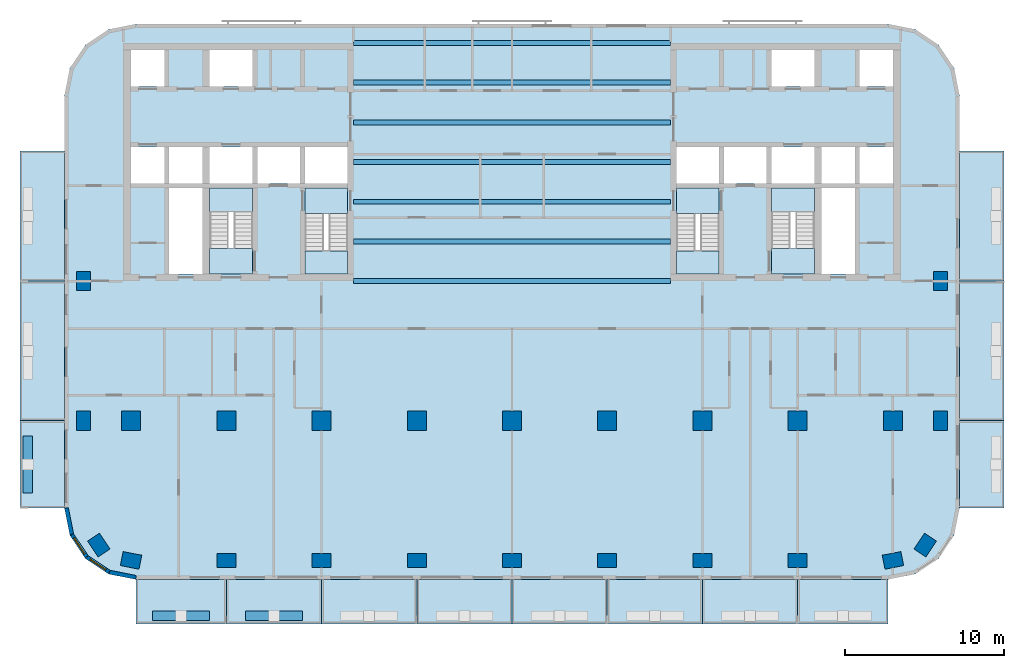
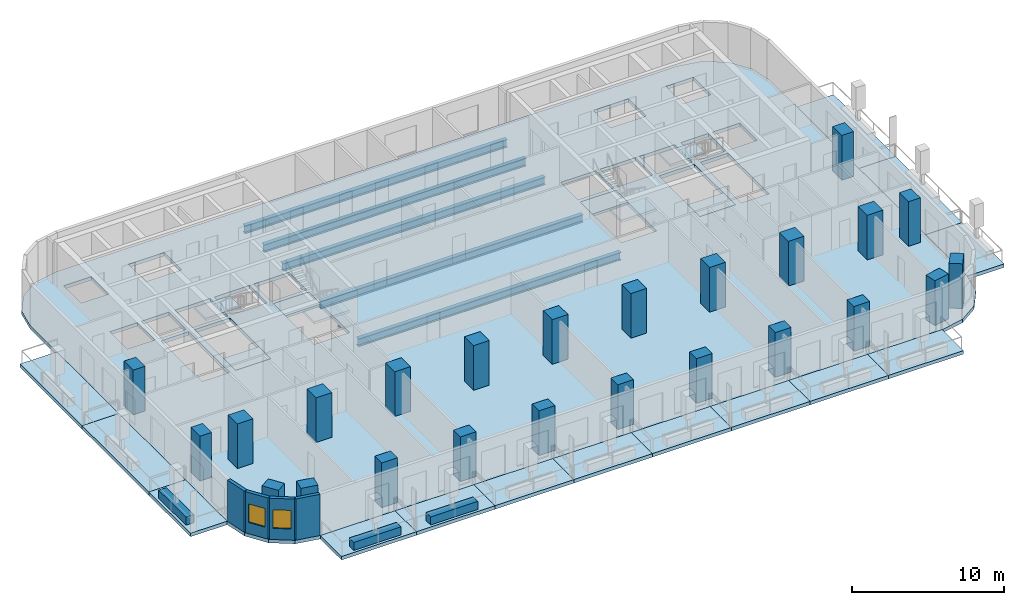
# One storey, part 1 of 11: 24 columns, 23 slabs, 7 beams, 7 walls, 2 windows, 2 openings, 4 elements without a shape of their own.
"""IFC4 building model written with IfcOpenShell, lengths in metres."""

from ifc_helpers import new_model, si_unit, direction, frame, frame_2d, origin, origin_2d, place, context, subcontext, project, spatial, polyline, rectangle, i_section, outline, extrude, material, layer, layer_set, material_profile, profile_set, type_object, element, fill, aggregate, save


model = new_model("IFC4")

# Units and contexts
model_context = context("Model", 3, precision=1e-05, world=origin(), true_north=direction((0.0, 1.0)))
body_context = subcontext(model_context, "Body", "Model", "MODEL_VIEW")
ifc_project = project(units=[si_unit("LENGTHUNIT", "METRE"), si_unit("AREAUNIT", "SQUARE_METRE"), si_unit("VOLUMEUNIT", "CUBIC_METRE"), si_unit("PLANEANGLEUNIT", "RADIAN"), si_unit("MASSUNIT", "GRAM", prefix="KILO")], contexts=[model_context])

# Site, building, storey
site_placement = place(None, origin())
site = spatial("IfcSite", under=ifc_project, at=site_placement, CompositionType="ELEMENT")
building_placement = place(site_placement, origin())
building = spatial("IfcBuilding", under=site, at=building_placement, Name="Torana Hotel and Residences", CompositionType="ELEMENT")
storey_placement = place(building_placement, frame((0.0, 0.0, 130.800048828125)))
storey = spatial("IfcBuildingStorey", under=building, at=storey_placement, Name="L33", CompositionType="ELEMENT", Elevation=130.800048828125)

# Columns
ifc_material_1 = material(Name="Concrete C70/85", Category="concrete")
ifc_material_profile_1 = material_profile(ifc_material_1, rectangle(XDim=1.199951171875, YDim=1.199951171875, at=origin_2d()), Name="RC 1200x1200")
ifc_profile_set_1 = profile_set([ifc_material_profile_1], Name="Concrete C70/85")
column_type_1 = type_object("IfcColumnType", Name="COLUMN RC 1200x1200 C70/85", PredefinedType="COLUMN", material=ifc_profile_set_1)
for number, where, z_axis, x_axis, name in (
    (1, (-24.0, -23.800048828125, 0.0), (0.0, 0.0, 1.0), (1.0, 0.0, 0.0), "Column L33"),
    (2, (-18.0, -23.800048828125, 0.0), (0.0, 0.0, 1.0), (1.0, 0.0, 0.0), "Column L33"),
    (3, (-12.0, -23.800048828125, 0.0), (0.0, 0.0, 1.0), (1.0, 0.0, 0.0), "Column L33"),
    (4, (-6.0, -23.800048828125, 0.0), (0.0, 0.0, 1.0), (1.0, 0.0, 0.0), "Column L33"),
    (5, (0.0, -23.800048828125, 0.0), (0.0, 0.0, 1.0), (1.0, 0.0, 0.0), "Column L33"),
    (6, (6.0, -23.800048828125, 0.0), (0.0, 0.0, 1.0), (1.0, 0.0, 0.0), "Column L33"),
    (7, (12.0, -23.800048828125, 0.0), (0.0, 0.0, 1.0), (1.0, 0.0, 0.0), "Column L33"),
    (8, (18.0, -23.800048828125, 0.0), (0.0, 0.0, 1.0), (1.0, 0.0, 0.0), "Column L33"),
    (9, (24.0, -23.800048828125, 0.0), (0.0, 0.0, 1.0), (1.0, 0.0, 0.0), "Column L33"),
):
    element("IfcColumn", number, at=place(storey_placement, frame(where, z_axis=z_axis, x_axis=x_axis)), inside=storey, type_object=column_type_1, Name=name, PredefinedType="COLUMN", context=body_context, shape_type="SweptSolid", body=[
        extrude(rectangle(XDim=1.199951171875, YDim=1.199951171875, at=origin_2d()), origin(), (0.0, 0.0, 1.0), 3.599853515625),
    ])
ifc_material_2 = material(Name="Concrete C70/85", Category="concrete")
ifc_material_profile_2 = material_profile(ifc_material_2, rectangle(XDim=1.199951171875, YDim=0.89990234375, at=origin_2d()), Name="RC 1200x900")
ifc_profile_set_2 = profile_set([ifc_material_profile_2], Name="Concrete C70/85")
column_type_2 = type_object("IfcColumnType", Name="COLUMN RC 1200x900 C70/85", PredefinedType="COLUMN", material=ifc_profile_set_2)
for number, where, z_axis, x_axis, name in (
    (10, (-27.0, -23.800048828125, 0.0), (0.0, 0.0, 1.0), (0.0, 1.0, 0.0), "Column L33"),
    (11, (-27.0, -15.0, 0.0), (0.0, 0.0, 1.0), (0.0, 1.0, 0.0), "Column L33"),
    (12, (-26.032958984375, -31.633056640625, 0.0), (0.0, 0.0, 1.0), (-0.555584744817, 0.831459915646, 0.0), "Column L33"),
    (13, (-24.0, -32.60009765625, 0.0), (0.0, 0.0, 1.0), (-0.980792089743, 0.195056086032, 0.0), "Column L33"),
    (14, (-18.0, -32.60009765625, 0.0), (0.0, 0.0, 1.0), (1.0, 0.0, 0.0), "Column L33"),
    (15, (-12.0, -32.60009765625, 0.0), (0.0, 0.0, 1.0), (1.0, 0.0, 0.0), "Column L33"),
    (16, (-6.0, -32.60009765625, 0.0), (0.0, 0.0, 1.0), (1.0, 0.0, 0.0), "Column L33"),
    (17, (0.0, -32.60009765625, 0.0), (0.0, 0.0, 1.0), (1.0, 0.0, 0.0), "Column L33"),
    (18, (6.0, -32.60009765625, 0.0), (0.0, 0.0, 1.0), (1.0, 0.0, 0.0), "Column L33"),
    (19, (12.0, -32.60009765625, 0.0), (0.0, 0.0, 1.0), (1.0, 0.0, 0.0), "Column L33"),
    (20, (18.0, -32.60009765625, 0.0), (0.0, 0.0, 1.0), (1.0, 0.0, 0.0), "Column L33"),
    (21, (24.0, -32.60009765625, 0.0), (0.0, 0.0, 1.0), (0.980792089743, 0.195056086032, 0.0), "Column L33"),
    (22, (26.032958984375, -31.633056640625, 0.0), (0.0, 0.0, 1.0), (0.555584744817, 0.831459915646, 0.0), "Column L33"),
    (23, (27.0, -23.800048828125, 0.0), (0.0, 0.0, 1.0), (0.0, 1.0, 0.0), "Column L33"),
    (24, (27.0, -15.0, 0.0), (0.0, 0.0, 1.0), (0.0, 1.0, 0.0), "Column L33"),
):
    element("IfcColumn", number, at=place(storey_placement, frame(where, z_axis=z_axis, x_axis=x_axis)), inside=storey, type_object=column_type_2, Name=name, PredefinedType="COLUMN", context=body_context, shape_type="SweptSolid", body=[
        extrude(rectangle(XDim=1.199951171875, YDim=0.89990234375, at=origin_2d()), origin(), (0.0, 0.0, 1.0), 3.599853515625),
    ])

# Beams
ifc_material_3 = material(Name="Steel S355", Category="steel")
ifc_material_profile_3 = material_profile(ifc_material_3, i_section(OverallWidth=0.311279296875, OverallDepth=0.6357421875, WebThickness=0.018310546875, FlangeThickness=0.031494140625, FilletRadius=0.0166015625, at=origin_2d()), Name="610x305x238 UB")
ifc_profile_set_3 = profile_set([ifc_material_profile_3], Name="Steel S355")
beam_type = type_object("IfcBeamType", Name="STEEL GIRDER 610x305x238 UB", PredefinedType="BEAM", material=ifc_profile_set_3)
for number, where, z_axis, x_axis, name in (
    (25, (-10.0, -15.0, -0.597900390625), (1.0, 0.0, 0.0), (0.0, 1.0, 0.0), "Floor girder"),
    (26, (-10.0, -12.5, -0.597900390625), (1.0, 0.0, 0.0), (0.0, 1.0, 0.0), "Floor girder"),
    (27, (-10.0, -10.0, -0.597900390625), (1.0, 0.0, 0.0), (0.0, 1.0, 0.0), "Floor girder"),
    (28, (-10.0, -7.5, -0.597900390625), (1.0, 0.0, 0.0), (0.0, 1.0, 0.0), "Floor girder"),
    (29, (-10.0, -5.0, -0.597900390625), (1.0, 0.0, 0.0), (0.0, 1.0, 0.0), "Floor girder"),
    (30, (-10.0, -2.5, -0.597900390625), (1.0, 0.0, 0.0), (0.0, 1.0, 0.0), "Floor girder"),
    (31, (-10.0, 0.0, -0.597900390625), (1.0, 0.0, 0.0), (0.0, 1.0, 0.0), "Floor girder"),
):
    element("IfcBeam", number, at=place(storey_placement, frame(where, z_axis=z_axis, x_axis=x_axis)), inside=storey, type_object=beam_type, Name=name, PredefinedType="BEAM", context=body_context, shape_type="SweptSolid", body=[
        extrude(i_section(OverallWidth=0.311279296875, OverallDepth=0.6357421875, WebThickness=0.018310546875, FlangeThickness=0.031494140625, FilletRadius=0.0166015625, at=origin_2d()), origin(), (0.0, 0.0, 1.0), 20.0),
    ])

# Slabs
ifc_material_4 = material(Name="Concrete C40/50", Category="concrete")
ifc_layer_1 = layer(ifc_material_4, 0.280029296875)
ifc_layer_set_1 = layer_set([ifc_layer_1], Name="BAL1 BALCONY SLAB 280")
slab_type_1 = type_object("IfcSlabType", Name="BAL1 BALCONY SLAB 280", PredefinedType="USERDEFINED", material=ifc_layer_set_1)
slab_1_placement = place(storey_placement, frame((0.0, 0.0, -0.280029296875)))
element("IfcSlab", 32, at=slab_1_placement, inside=storey, type_object=slab_type_1, Name="Balcony 01", ObjectType="BALCONY", PredefinedType="USERDEFINED", context=body_context, shape_type="SweptSolid", body=[
    extrude(outline(polyline([(-23.699951171875, -36.60009765625), (-18.0, -36.60009765625), (-18.0, -33.800048828125), (-23.699951171875, -33.800048828125), (-23.699951171875, -36.60009765625)])), origin(), (0.0, 0.0, 1.0), 0.280029296875),
])
slab_2_placement = place(storey_placement, frame((0.0, 0.0, -0.280029296875)))
element("IfcSlab", 33, at=slab_2_placement, inside=storey, type_object=slab_type_1, Name="Balcony 02", ObjectType="BALCONY", PredefinedType="USERDEFINED", context=body_context, shape_type="SweptSolid", body=[
    extrude(outline(polyline([(-18.0, -36.60009765625), (-12.0, -36.60009765625), (-12.0, -33.800048828125), (-18.0, -33.800048828125), (-18.0, -36.60009765625)])), origin(), (0.0, 0.0, 1.0), 0.280029296875),
])
slab_3_placement = place(storey_placement, frame((0.0, 0.0, -0.280029296875)))
element("IfcSlab", 34, at=slab_3_placement, inside=storey, type_object=slab_type_1, Name="Balcony 03", ObjectType="BALCONY", PredefinedType="USERDEFINED", context=body_context, shape_type="SweptSolid", body=[
    extrude(outline(polyline([(-12.0, -36.60009765625), (-6.0, -36.60009765625), (-6.0, -33.800048828125), (-12.0, -33.800048828125), (-12.0, -36.60009765625)])), origin(), (0.0, 0.0, 1.0), 0.280029296875),
])
slab_4_placement = place(storey_placement, frame((0.0, 0.0, -0.280029296875)))
element("IfcSlab", 35, at=slab_4_placement, inside=storey, type_object=slab_type_1, Name="Balcony 04", ObjectType="BALCONY", PredefinedType="USERDEFINED", context=body_context, shape_type="SweptSolid", body=[
    extrude(outline(polyline([(-6.0, -36.60009765625), (0.0, -36.60009765625), (0.0, -33.800048828125), (-6.0, -33.800048828125), (-6.0, -36.60009765625)])), origin(), (0.0, 0.0, 1.0), 0.280029296875),
])
slab_5_placement = place(storey_placement, frame((0.0, 0.0, -0.280029296875)))
element("IfcSlab", 36, at=slab_5_placement, inside=storey, type_object=slab_type_1, Name="Balcony 05", ObjectType="BALCONY", PredefinedType="USERDEFINED", context=body_context, shape_type="SweptSolid", body=[
    extrude(outline(polyline([(0.0, -36.60009765625), (6.0, -36.60009765625), (6.0, -33.800048828125), (0.0, -33.800048828125), (0.0, -36.60009765625)])), origin(), (0.0, 0.0, 1.0), 0.280029296875),
])
slab_6_placement = place(storey_placement, frame((0.0, 0.0, -0.280029296875)))
element("IfcSlab", 37, at=slab_6_placement, inside=storey, type_object=slab_type_1, Name="Balcony 06", ObjectType="BALCONY", PredefinedType="USERDEFINED", context=body_context, shape_type="SweptSolid", body=[
    extrude(outline(polyline([(6.0, -36.60009765625), (12.0, -36.60009765625), (12.0, -33.800048828125), (6.0, -33.800048828125), (6.0, -36.60009765625)])), origin(), (0.0, 0.0, 1.0), 0.280029296875),
])
slab_7_placement = place(storey_placement, frame((0.0, 0.0, -0.280029296875)))
element("IfcSlab", 38, at=slab_7_placement, inside=storey, type_object=slab_type_1, Name="Balcony 07", ObjectType="BALCONY", PredefinedType="USERDEFINED", context=body_context, shape_type="SweptSolid", body=[
    extrude(outline(polyline([(12.0, -36.60009765625), (18.0, -36.60009765625), (18.0, -33.800048828125), (12.0, -33.800048828125), (12.0, -36.60009765625)])), origin(), (0.0, 0.0, 1.0), 0.280029296875),
])
slab_8_placement = place(storey_placement, frame((0.0, 0.0, -0.280029296875)))
element("IfcSlab", 39, at=slab_8_placement, inside=storey, type_object=slab_type_1, Name="Balcony 08", ObjectType="BALCONY", PredefinedType="USERDEFINED", context=body_context, shape_type="SweptSolid", body=[
    extrude(outline(polyline([(18.0, -36.60009765625), (23.699951171875, -36.60009765625), (23.699951171875, -33.800048828125), (18.0, -33.800048828125), (18.0, -36.60009765625)])), origin(), (0.0, 0.0, 1.0), 0.280029296875),
])
slab_9_placement = place(storey_placement, frame((0.0, 0.0, -0.280029296875)))
element("IfcSlab", 40, at=slab_9_placement, inside=storey, type_object=slab_type_1, Name="Balcony 09", ObjectType="BALCONY", PredefinedType="USERDEFINED", context=body_context, shape_type="SweptSolid", body=[
    extrude(outline(polyline([(-31.0, -29.300048828125), (-28.199951171875, -29.300048828125), (-28.199951171875, -23.800048828125), (-31.0, -23.800048828125), (-31.0, -29.300048828125)])), origin(), (0.0, 0.0, 1.0), 0.280029296875),
])
slab_10_placement = place(storey_placement, frame((0.0, 0.0, -0.280029296875)))
element("IfcSlab", 41, at=slab_10_placement, inside=storey, type_object=slab_type_1, Name="Balcony 10", ObjectType="BALCONY", PredefinedType="USERDEFINED", context=body_context, shape_type="SweptSolid", body=[
    extrude(outline(polyline([(-31.0, -23.800048828125), (-28.199951171875, -23.800048828125), (-28.199951171875, -15.0), (-31.0, -15.0), (-31.0, -23.800048828125)])), origin(), (0.0, 0.0, 1.0), 0.280029296875),
])
slab_11_placement = place(storey_placement, frame((0.0, 0.0, -0.280029296875)))
element("IfcSlab", 42, at=slab_11_placement, inside=storey, type_object=slab_type_1, Name="Balcony 11", ObjectType="BALCONY", PredefinedType="USERDEFINED", context=body_context, shape_type="SweptSolid", body=[
    extrude(outline(polyline([(-31.0, -15.0), (-28.199951171875, -15.0), (-28.199951171875, -6.800048828125), (-31.0, -6.800048828125), (-31.0, -15.0)])), origin(), (0.0, 0.0, 1.0), 0.280029296875),
])
slab_12_placement = place(storey_placement, frame((0.0, 0.0, -0.280029296875)))
element("IfcSlab", 43, at=slab_12_placement, inside=storey, type_object=slab_type_1, Name="Balcony 12", ObjectType="BALCONY", PredefinedType="USERDEFINED", context=body_context, shape_type="SweptSolid", body=[
    extrude(outline(polyline([(28.199951171875, -29.300048828125), (31.0, -29.300048828125), (31.0, -23.800048828125), (28.199951171875, -23.800048828125), (28.199951171875, -29.300048828125)])), origin(), (0.0, 0.0, 1.0), 0.280029296875),
])
slab_13_placement = place(storey_placement, frame((0.0, 0.0, -0.280029296875)))
element("IfcSlab", 44, at=slab_13_placement, inside=storey, type_object=slab_type_1, Name="Balcony 13", ObjectType="BALCONY", PredefinedType="USERDEFINED", context=body_context, shape_type="SweptSolid", body=[
    extrude(outline(polyline([(28.199951171875, -23.800048828125), (31.0, -23.800048828125), (31.0, -15.0), (28.199951171875, -15.0), (28.199951171875, -23.800048828125)])), origin(), (0.0, 0.0, 1.0), 0.280029296875),
])
slab_14_placement = place(storey_placement, frame((0.0, 0.0, -0.280029296875)))
element("IfcSlab", 45, at=slab_14_placement, inside=storey, type_object=slab_type_1, Name="Balcony 14", ObjectType="BALCONY", PredefinedType="USERDEFINED", context=body_context, shape_type="SweptSolid", body=[
    extrude(outline(polyline([(28.199951171875, -15.0), (31.0, -15.0), (31.0, -6.800048828125), (28.199951171875, -6.800048828125), (28.199951171875, -15.0)])), origin(), (0.0, 0.0, 1.0), 0.280029296875),
])
ifc_material_5 = material(Name="Concrete C40/50", Category="concrete")
ifc_layer_2 = layer(ifc_material_5, 0.280029296875)
ifc_layer_set_2 = layer_set([ifc_layer_2], Name="FLOOR SLAB PT 280")
slab_type_2 = type_object("IfcSlabType", Name="FLOOR SLAB PT 280", PredefinedType="FLOOR", material=ifc_layer_set_2)
slab_15_placement = place(storey_placement, frame((0.0, 0.0, -0.280029296875)))
element("IfcSlab", 46, at=slab_15_placement, inside=storey, type_object=slab_type_2, Name="Floor slab", PredefinedType="FLOOR", context=body_context, shape_type="SweptSolid", body=[
    extrude(outline(polyline([(28.199951171875, -3.300048828125), (27.857421875, -1.577880859375), (26.882080078125, -0.117919921875), (25.422119140625, 0.857421875), (23.699951171875, 1.199951171875), (-23.699951171875, 1.199951171875), (-25.422119140625, 0.857421875), (-26.882080078125, -0.117919921875), (-27.857421875, -1.577880859375), (-28.199951171875, -3.300048828125), (-28.199951171875, -29.300048828125), (-27.857421875, -31.022216796875), (-26.882080078125, -32.48193359375), (-25.422119140625, -33.45751953125), (-23.699951171875, -33.800048828125), (23.699951171875, -33.800048828125), (25.422119140625, -33.45751953125), (26.882080078125, -32.48193359375), (27.857421875, -31.022216796875), (28.199951171875, -29.300048828125), (28.199951171875, -3.300048828125)]), holes=[polyline([(-13.050048828125, -14.550048828125), (-10.35009765625, -14.550048828125), (-10.35009765625, -9.14990234375), (-13.050048828125, -9.14990234375), (-13.050048828125, -14.550048828125)]), polyline([(-19.050048828125, -14.550048828125), (-16.35009765625, -14.550048828125), (-16.35009765625, -9.14990234375), (-19.050048828125, -9.14990234375), (-19.050048828125, -14.550048828125)]), polyline([(-19.050048828125, -2.75), (-16.35009765625, -2.75), (-16.35009765625, -0.449951171875), (-19.050048828125, -0.449951171875), (-19.050048828125, -2.75)]), polyline([(-21.60009765625, -8.85009765625), (-19.5, -8.85009765625), (-19.5, -6.550048828125), (-21.60009765625, -6.550048828125), (-21.60009765625, -8.85009765625)]), polyline([(-24.0, -2.75), (-21.89990234375, -2.75), (-21.89990234375, -0.449951171875), (-24.0, -0.449951171875), (-24.0, -2.75)]), polyline([(-24.0, -8.85009765625), (-21.89990234375, -8.85009765625), (-21.89990234375, -6.550048828125), (-24.0, -6.550048828125), (-24.0, -8.85009765625)]), polyline([(-13.050048828125, -8.85009765625), (-10.35009765625, -8.85009765625), (-10.35009765625, -6.550048828125), (-13.050048828125, -6.550048828125), (-13.050048828125, -8.85009765625)]), polyline([(-16.050048828125, -8.85009765625), (-13.35009765625, -8.85009765625), (-13.35009765625, -6.550048828125), (-16.050048828125, -6.550048828125), (-16.050048828125, -8.85009765625)]), polyline([(-19.050048828125, -8.85009765625), (-16.35009765625, -8.85009765625), (-16.35009765625, -6.550048828125), (-19.050048828125, -6.550048828125), (-19.050048828125, -8.85009765625)]), polyline([(-21.60009765625, -14.550048828125), (-19.5, -14.550048828125), (-19.5, -9.14990234375), (-21.60009765625, -9.14990234375), (-21.60009765625, -14.550048828125)]), polyline([(10.35009765625, -14.550048828125), (13.050048828125, -14.550048828125), (13.050048828125, -9.14990234375), (10.35009765625, -9.14990234375), (10.35009765625, -14.550048828125)]), polyline([(16.35009765625, -14.550048828125), (19.050048828125, -14.550048828125), (19.050048828125, -9.14990234375), (16.35009765625, -9.14990234375), (16.35009765625, -14.550048828125)]), polyline([(16.35009765625, -2.75), (19.050048828125, -2.75), (19.050048828125, -0.449951171875), (16.35009765625, -0.449951171875), (16.35009765625, -2.75)]), polyline([(19.5, -8.85009765625), (21.60009765625, -8.85009765625), (21.60009765625, -6.550048828125), (19.5, -6.550048828125), (19.5, -8.85009765625)]), polyline([(21.89990234375, -2.75), (24.0, -2.75), (24.0, -0.449951171875), (21.89990234375, -0.449951171875), (21.89990234375, -2.75)]), polyline([(21.89990234375, -8.85009765625), (24.0, -8.85009765625), (24.0, -6.550048828125), (21.89990234375, -6.550048828125), (21.89990234375, -8.85009765625)]), polyline([(10.35009765625, -8.85009765625), (13.050048828125, -8.85009765625), (13.050048828125, -6.550048828125), (10.35009765625, -6.550048828125), (10.35009765625, -8.85009765625)]), polyline([(13.35009765625, -8.85009765625), (16.050048828125, -8.85009765625), (16.050048828125, -6.550048828125), (13.35009765625, -6.550048828125), (13.35009765625, -8.85009765625)]), polyline([(16.35009765625, -8.85009765625), (19.050048828125, -8.85009765625), (19.050048828125, -6.550048828125), (16.35009765625, -6.550048828125), (16.35009765625, -8.85009765625)]), polyline([(19.5, -14.550048828125), (21.60009765625, -14.550048828125), (21.60009765625, -9.14990234375), (19.5, -9.14990234375), (19.5, -14.550048828125)])]), origin(), (0.0, 0.0, 1.0), 0.280029296875),
])

# Stair, slabs
ifc_material_6 = material(Name="Concrete C40/50 precast", Category="concrete")
stair_type_1 = type_object("IfcStairType", Name="STAIR ST1 HALF TURN 1200", PredefinedType="HALF_TURN_STAIR", material=ifc_material_6)
stair_1_placement = place(storey_placement, origin())
stair_1 = element("IfcStair", 47, at=stair_1_placement, inside=storey, type_object=stair_type_1, Name="Stair ST1 L33", PredefinedType="HALF_TURN_STAIR")
ifc_material_7 = material(Name="Concrete C40/50 precast", Category="concrete")
ifc_layer_3 = layer(ifc_material_7, 0.199951171875)
ifc_layer_set_3 = layer_set([ifc_layer_3], Name="STAIR LANDING 200")
slab_type_3 = type_object("IfcSlabType", Name="STAIR LANDING 200", PredefinedType="LANDING", material=ifc_layer_set_3)
slab_16_placement = place(storey_placement, frame((0.0, 0.0, 1.599853515625)))
slab_16 = element("IfcSlab", 48, at=slab_16_placement, type_object=slab_type_3, Name="ST1 landing 1", PredefinedType="LANDING", context=body_context, shape_type="SweptSolid", body=[
    extrude(outline(polyline([(-13.050048828125, -14.550048828125), (-10.35009765625, -14.550048828125), (-10.35009765625, -13.090087890625), (-13.050048828125, -13.090087890625), (-13.050048828125, -14.550048828125)])), origin(), (0.0, 0.0, 1.0), 0.2001953125),
])
slab_17_placement = place(storey_placement, frame((0.0, 0.0, -0.199951171875)))
slab_17 = element("IfcSlab", 49, at=slab_17_placement, type_object=slab_type_3, Name="ST1 landing 2", PredefinedType="LANDING", context=body_context, shape_type="SweptSolid", body=[
    extrude(outline(polyline([(-13.050048828125, -10.75), (-10.35009765625, -10.75), (-10.35009765625, -9.14990234375), (-13.050048828125, -9.14990234375), (-13.050048828125, -10.75)])), origin(), (0.0, 0.0, 1.0), 0.199951171875),
])
aggregate(stair_1, [slab_16, slab_17])

ifc_material_8 = material(Name="Concrete C40/50 precast", Category="concrete")
stair_type_2 = type_object("IfcStairType", Name="STAIR ST2 HALF TURN 1200", PredefinedType="HALF_TURN_STAIR", material=ifc_material_8)
stair_2_placement = place(storey_placement, origin())
stair_2 = element("IfcStair", 50, at=stair_2_placement, inside=storey, type_object=stair_type_2, Name="Stair ST2 L33", PredefinedType="HALF_TURN_STAIR")
slab_18_placement = place(storey_placement, frame((0.0, 0.0, 1.599853515625)))
slab_18 = element("IfcSlab", 51, at=slab_18_placement, type_object=slab_type_3, Name="ST2 landing 1", PredefinedType="LANDING", context=body_context, shape_type="SweptSolid", body=[
    extrude(outline(polyline([(-19.050048828125, -10.610107421875), (-16.35009765625, -10.610107421875), (-16.35009765625, -9.14990234375), (-19.050048828125, -9.14990234375), (-19.050048828125, -10.610107421875)])), origin(), (0.0, 0.0, 1.0), 0.2001953125),
])
slab_19_placement = place(storey_placement, frame((0.0, 0.0, -0.199951171875)))
slab_19 = element("IfcSlab", 52, at=slab_19_placement, type_object=slab_type_3, Name="ST2 landing 2", PredefinedType="LANDING", context=body_context, shape_type="SweptSolid", body=[
    extrude(outline(polyline([(-19.050048828125, -14.550048828125), (-16.35009765625, -14.550048828125), (-16.35009765625, -12.949951171875), (-19.050048828125, -12.949951171875), (-19.050048828125, -14.550048828125)])), origin(), (0.0, 0.0, 1.0), 0.199951171875),
])
aggregate(stair_2, [slab_18, slab_19])

ifc_material_9 = material(Name="Concrete C40/50 precast", Category="concrete")
stair_type_3 = type_object("IfcStairType", Name="STAIR ST3 HALF TURN 1200", PredefinedType="HALF_TURN_STAIR", material=ifc_material_9)
stair_3_placement = place(storey_placement, origin())
stair_3 = element("IfcStair", 53, at=stair_3_placement, inside=storey, type_object=stair_type_3, Name="Stair ST3 L33", PredefinedType="HALF_TURN_STAIR")
slab_20_placement = place(storey_placement, frame((0.0, 0.0, 1.599853515625)))
slab_20 = element("IfcSlab", 54, at=slab_20_placement, type_object=slab_type_3, Name="ST3 landing 1", PredefinedType="LANDING", context=body_context, shape_type="SweptSolid", body=[
    extrude(outline(polyline([(10.35009765625, -14.550048828125), (13.050048828125, -14.550048828125), (13.050048828125, -13.090087890625), (10.35009765625, -13.090087890625), (10.35009765625, -14.550048828125)])), origin(), (0.0, 0.0, 1.0), 0.2001953125),
])
slab_21_placement = place(storey_placement, frame((0.0, 0.0, -0.199951171875)))
slab_21 = element("IfcSlab", 55, at=slab_21_placement, type_object=slab_type_3, Name="ST3 landing 2", PredefinedType="LANDING", context=body_context, shape_type="SweptSolid", body=[
    extrude(outline(polyline([(10.35009765625, -10.75), (13.050048828125, -10.75), (13.050048828125, -9.14990234375), (10.35009765625, -9.14990234375), (10.35009765625, -10.75)])), origin(), (0.0, 0.0, 1.0), 0.199951171875),
])
aggregate(stair_3, [slab_20, slab_21])

ifc_material_10 = material(Name="Concrete C40/50 precast", Category="concrete")
stair_type_4 = type_object("IfcStairType", Name="STAIR ST4 HALF TURN 1200", PredefinedType="HALF_TURN_STAIR", material=ifc_material_10)
stair_4_placement = place(storey_placement, origin())
stair_4 = element("IfcStair", 56, at=stair_4_placement, inside=storey, type_object=stair_type_4, Name="Stair ST4 L33", PredefinedType="HALF_TURN_STAIR")
slab_22_placement = place(storey_placement, frame((0.0, 0.0, 1.599853515625)))
slab_22 = element("IfcSlab", 57, at=slab_22_placement, type_object=slab_type_3, Name="ST4 landing 1", PredefinedType="LANDING", context=body_context, shape_type="SweptSolid", body=[
    extrude(outline(polyline([(16.35009765625, -10.610107421875), (19.050048828125, -10.610107421875), (19.050048828125, -9.14990234375), (16.35009765625, -9.14990234375), (16.35009765625, -10.610107421875)])), origin(), (0.0, 0.0, 1.0), 0.2001953125),
])
slab_23_placement = place(storey_placement, frame((0.0, 0.0, -0.199951171875)))
slab_23 = element("IfcSlab", 58, at=slab_23_placement, type_object=slab_type_3, Name="ST4 landing 2", PredefinedType="LANDING", context=body_context, shape_type="SweptSolid", body=[
    extrude(outline(polyline([(16.35009765625, -14.550048828125), (19.050048828125, -14.550048828125), (19.050048828125, -12.949951171875), (16.35009765625, -12.949951171875), (16.35009765625, -14.550048828125)])), origin(), (0.0, 0.0, 1.0), 0.199951171875),
])
aggregate(stair_4, [slab_22, slab_23])

# Wall
ifc_material_11 = material(Name="Black aluminium composite panel", Category="aluminium")
ifc_layer_4 = layer(ifc_material_11, 0.00390625, Name="Cladding", Category="cladding")
ifc_material_12 = material(Name="Ventilated air cavity")
ifc_layer_5 = layer(ifc_material_12, 0.0400390625, Name="Ventilated cavity", Category="cavity")
ifc_material_13 = material(Name="Mineral wool insulation")
ifc_layer_6 = layer(ifc_material_13, 0.090087890625, Name="Insulation", Category="insulation")
ifc_material_14 = material(Name="Steel S280GD", Category="steel")
ifc_layer_7 = layer(ifc_material_14, 0.092041015625, Name="Steel stud frame", Category="structure")
ifc_material_15 = material(Name="Fire rated plasterboard")
ifc_layer_8 = layer(ifc_material_15, 0.011962890625, Name="Inner board", Category="finish")
ifc_layer_9 = layer(ifc_material_15, 0.011962890625, Name="Second board", Category="finish")
ifc_layer_set_4 = layer_set([ifc_layer_4, ifc_layer_5, ifc_layer_6, ifc_layer_7, ifc_layer_8, ifc_layer_9], Name="EW1 EXTERNAL WALL BLACK METAL CLAD 250")
wall_type_1 = type_object("IfcWallType", Name="EW1 EXTERNAL WALL BLACK METAL CLAD 250", PredefinedType="SOLIDWALL", material=ifc_layer_set_4)
wall_1_placement = place(storey_placement, frame((-28.072509765625, -29.2998046875, 0.0), z_axis=(0.0, 0.0, 1.0), x_axis=(0.194999110559, -0.980803419081, 0.0)))
element("IfcWall", 59, at=wall_1_placement, inside=storey, type_object=wall_type_1, Name="External wall L33 e0.10", PredefinedType="SOLIDWALL", context=body_context, shape_type="SweptSolid", body=[
    extrude(rectangle(XDim=1.681396484375, YDim=0.25, at=frame_2d((0.8408203125, 0.0))), origin(), (0.0, 0.0, 1.0), 3.320068359375),
])

# Wall, opening, window
wall_2_placement = place(storey_placement, frame((-27.725830078125, -30.993896484375, 0.0), z_axis=(0.0, 0.0, 1.0), x_axis=(0.55555029066, -0.831482937015, 0.0)))
wall_2 = element("IfcWall", 60, at=wall_2_placement, inside=storey, type_object=wall_type_1, Name="External wall L33 e0.11", PredefinedType="SOLIDWALL", context=body_context, shape_type="SweptSolid", body=[
    extrude(rectangle(XDim=1.65625, YDim=0.25, at=frame_2d((0.828125, 0.0))), origin(), (0.0, 0.0, 1.0), 3.320068359375),
])
opening_1_placement = place(wall_2_placement, frame((0.228271484375, 0.0, 0.89990234375)))
opening_1 = element("IfcOpeningElement", 61, at=opening_1_placement, cuts=wall_2, Name="Opening W5", PredefinedType="OPENING", context=body_context, shape_type="SweptSolid", body=[
    extrude(rectangle(XDim=1.199951171875, YDim=1.5, at=frame_2d((0.60009765625, 0.75))), frame((0.0, 0.135009765625, 0.0), z_axis=(0.0, -1.0, 0.0), x_axis=(1.0, 0.0, 0.0)), (0.0, 0.0, 1.0), 0.27001953125),
])
ifc_material_16 = material(Name="Dark glass in black aluminium frame", Category="aluminium")
window_type = type_object("IfcWindowType", Name="W5 CORNER FACET WINDOW 1200x1500", PartitioningType="SINGLE_PANEL", PredefinedType="WINDOW", material=ifc_material_16)
window_1_placement = place(opening_1_placement, origin())
window_1 = element("IfcWindow", 62, at=window_1_placement, inside=storey, type_object=window_type, Name="Window L33 e0.11", OverallHeight=1.5, OverallWidth=1.199951171875, PartitioningType="SINGLE_PANEL", PredefinedType="WINDOW", context=body_context, shape_type="SweptSolid", body=[
    extrude(rectangle(XDim=1.199951171875, YDim=1.5, at=frame_2d((0.60009765625, 0.75))), frame((0.0, 0.030029296875, 0.0), z_axis=(0.0, -1.0, 0.0), x_axis=(1.0, 0.0, 0.0)), (0.0, 0.0, 1.0), 0.06005859375),
])
fill(opening_1, window_1)

wall_3_placement = place(storey_placement, frame((-26.771240234375, -32.40576171875, 0.0), z_axis=(0.0, 0.0, 1.0), x_axis=(0.831482937015, -0.55555029066, 0.0)))
wall_3 = element("IfcWall", 63, at=wall_3_placement, inside=storey, type_object=wall_type_1, Name="External wall L33 e0.12", PredefinedType="SOLIDWALL", context=body_context, shape_type="SweptSolid", body=[
    extrude(rectangle(XDim=1.65625, YDim=0.25, at=frame_2d((0.828125, 0.0))), origin(), (0.0, 0.0, 1.0), 3.320068359375),
])
opening_2_placement = place(wall_3_placement, frame((0.228271484375, 0.0, 0.89990234375)))
opening_2 = element("IfcOpeningElement", 64, at=opening_2_placement, cuts=wall_3, Name="Opening W5", PredefinedType="OPENING", context=body_context, shape_type="SweptSolid", body=[
    extrude(rectangle(XDim=1.199951171875, YDim=1.5, at=frame_2d((0.60009765625, 0.75))), frame((0.0, 0.135009765625, 0.0), z_axis=(0.0, -1.0, 0.0), x_axis=(1.0, 0.0, 0.0)), (0.0, 0.0, 1.0), 0.27001953125),
])
window_2_placement = place(opening_2_placement, origin())
window_2 = element("IfcWindow", 65, at=window_2_placement, inside=storey, type_object=window_type, Name="Window L33 e0.12", OverallHeight=1.5, OverallWidth=1.199951171875, PartitioningType="SINGLE_PANEL", PredefinedType="WINDOW", context=body_context, shape_type="SweptSolid", body=[
    extrude(rectangle(XDim=1.199951171875, YDim=1.5, at=frame_2d((0.60009765625, 0.75))), frame((0.0, 0.030029296875, 0.0), z_axis=(0.0, -1.0, 0.0), x_axis=(1.0, 0.0, 0.0)), (0.0, 0.0, 1.0), 0.06005859375),
])
fill(opening_2, window_2)

# Walls
wall_4_placement = place(storey_placement, frame((-25.348876953125, -33.344482421875, 0.0), z_axis=(0.0, 0.0, 1.0), x_axis=(0.980775640221, -0.19513878023, 0.0)))
element("IfcWall", 66, at=wall_4_placement, inside=storey, type_object=wall_type_1, Name="External wall L33 e0.13", PredefinedType="SOLIDWALL", context=body_context, shape_type="SweptSolid", body=[
    extrude(rectangle(XDim=1.681396484375, YDim=0.25, at=frame_2d((0.8408203125, 0.0))), origin(), (0.0, 0.0, 1.0), 3.320068359375),
])
ifc_material_17 = material(Name="Concrete C40/50 precast", Category="concrete")
ifc_layer_10 = layer(ifc_material_17, 0.10009765625, Name="Planter shell", Category="structure")
ifc_material_18 = material(Name="Root resistant membrane")
ifc_layer_11 = layer(ifc_material_18, 0.00390625, Name="Waterproofing membrane", Category="membrane")
ifc_material_19 = material(Name="Drainage board with filter fleece")
ifc_layer_12 = layer(ifc_material_19, 0.02001953125, Name="Drainage board", Category="drainage")
ifc_material_20 = material(Name="Growing medium")
ifc_layer_13 = layer(ifc_material_20, 0.47607421875, Name="Planting substrate", Category="soil")
ifc_layer_set_5 = layer_set([ifc_layer_10, ifc_layer_11, ifc_layer_12, ifc_layer_13], Name="PL1 BALCONY PLANTER 600")
wall_type_2 = type_object("IfcWallType", Name="PL1 BALCONY PLANTER 600", PredefinedType="USERDEFINED", material=ifc_layer_set_5)
wall_5_placement = place(storey_placement, frame((-19.050048828125, -36.10009765625, 0.0), z_axis=(0.0, 0.0, 1.0), x_axis=(-1.0, 0.0, 0.0)))
element("IfcWall", 67, at=wall_5_placement, inside=storey, type_object=wall_type_2, Name="Planter 01", ObjectType="PLANTER", PredefinedType="USERDEFINED", context=body_context, shape_type="SweptSolid", body=[
    extrude(rectangle(XDim=3.599853515625, YDim=0.60009765625, at=frame_2d((1.7998046875, 0.0))), origin(), (0.0, 0.0, 1.0), 0.64990234375),
])
for number, where, z_axis, x_axis, name in (
    (68, (-13.199951171875, -36.10009765625, 0.0), (0.0, 0.0, 1.0), (-1.0, 0.0, 0.0), "Planter 02"),
    (69, (-30.5, -28.35009765625, 0.0), (0.0, 0.0, 1.0), (0.0, 1.0, 0.0), "Planter 09"),
):
    element("IfcWall", number, at=place(storey_placement, frame(where, z_axis=z_axis, x_axis=x_axis)), inside=storey, type_object=wall_type_2, Name=name, ObjectType="PLANTER", PredefinedType="USERDEFINED", context=body_context, shape_type="SweptSolid", body=[
        extrude(rectangle(XDim=3.60009765625, YDim=0.60009765625, at=frame_2d((1.800048828125, 0.0))), origin(), (0.0, 0.0, 1.0), 0.64990234375),
    ])

save(model, "model.ifc")
